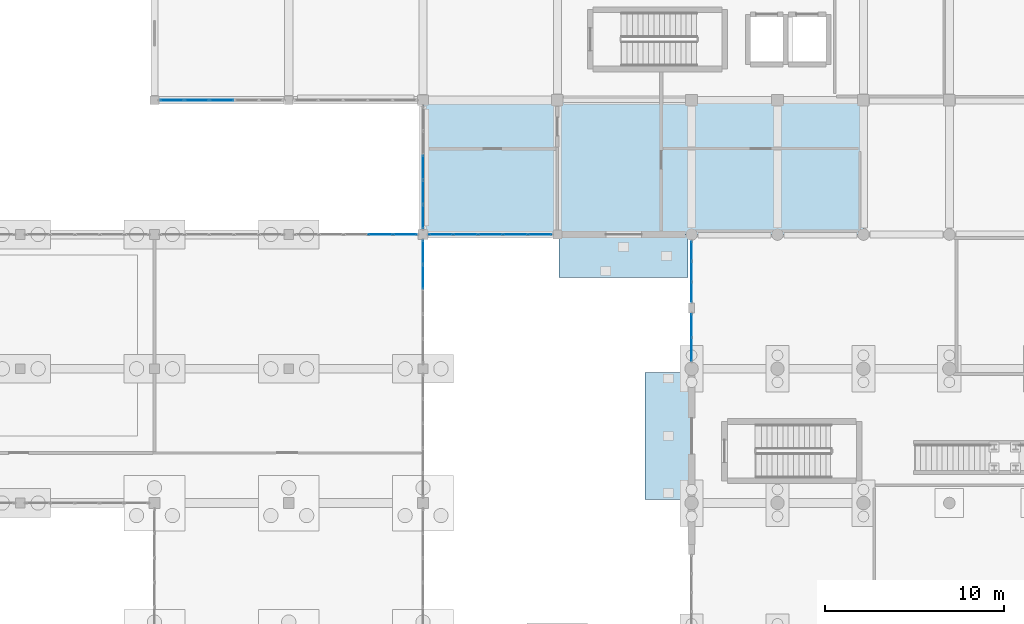
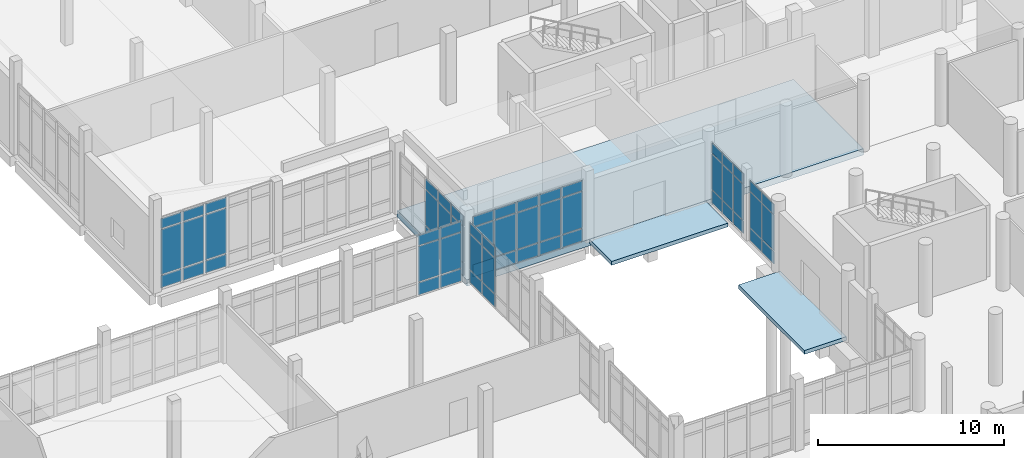
# One storey, part 135 of 173: 60 plates, 3 slabs, 7 elements without a shape of their own.
"""IFC4 building model written with IfcOpenShell, lengths in metres."""

import ifcopenshell
import ifcopenshell.guid

model = None  # the IFC model being written
_history = None  # IfcOwnerHistory: only IFC2X3 demands one
_inside = {}  # id of a spatial element -> (the spatial element, [elements in it])
_under = {}  # id of a project, library or spatial element -> (it, [spatial elements below it])
_declared = {}  # id of a project -> (the project, [libraries it declares])
_typed = {}  # id of a type object -> (the type object, [elements of that type])
_made_of = {}  # id of a material, layer set ... -> (it, [elements and type objects made of it])


def new_model(schema):
    """Start an empty IFC model of exactly this schema.

    Asked for "IFC4X3", IfcOpenShell would pick the latest addendum, in which some entities
    have other attributes; the version numbers below select the first issue.
    IFC2X3 requires an IfcOwnerHistory on every rooted entity: one is made here for all.
    """
    global model, _history
    if schema == "IFC4X3":
        model = ifcopenshell.file(schema_version=(4, 3, 0, 0))
    else:
        model = ifcopenshell.file(schema=schema)
    _inside.clear()
    _under.clear()
    _declared.clear()
    _typed.clear()
    _made_of.clear()
    _history = None
    if model.schema == "IFC2X3":
        org = make("IfcOrganization", Name="unknown")
        user = make(
            "IfcPersonAndOrganization",
            ThePerson=make("IfcPerson", FamilyName="unknown"),
            TheOrganization=org,
        )
        app = make(
            "IfcApplication",
            ApplicationDeveloper=org,
            Version="unknown",
            ApplicationFullName="unknown",
            ApplicationIdentifier="unknown",
        )
        _history = make(
            "IfcOwnerHistory",
            OwningUser=user,
            OwningApplication=app,
            ChangeAction="ADDED",
            CreationDate=0,
        )
    return model


def make(cls, **values):
    """One entity of the class cls with the attributes given. An attribute that is None is left unset."""
    return model.create_entity(
        cls, **{name: value for name, value in values.items() if value is not None}
    )


def rooted(cls, **values):
    """An entity with a GlobalId (a new one), such as an element, a storey or a relation."""
    return make(cls, GlobalId=ifcopenshell.guid.new(), OwnerHistory=_history, **values)


def si_unit(unit_type, name, prefix=None):
    """IfcSIUnit, for example si_unit("LENGTHUNIT", "METRE", prefix="MILLI")."""
    return make("IfcSIUnit", UnitType=unit_type, Prefix=prefix, Name=name)


def assignment(units):
    """IfcUnitAssignment: the units of a project."""
    return None if units is None else make("IfcUnitAssignment", Units=units)


def point(xyz):
    """IfcCartesianPoint."""
    return None if xyz is None else make("IfcCartesianPoint", Coordinates=xyz)


def direction(xyz):
    """IfcDirection."""
    return None if xyz is None else make("IfcDirection", DirectionRatios=xyz)


def frame(location, z_axis=None, x_axis=None):
    """IfcAxis2Placement3D, a coordinate frame: its origin and axes. An axis left out is left unset."""
    return make(
        "IfcAxis2Placement3D",
        Location=point(location),
        Axis=direction(z_axis),
        RefDirection=direction(x_axis),
    )


def frame_2d(location, x_axis=None):
    """IfcAxis2Placement2D, a coordinate frame in the plane: its origin and x axis."""
    return make(
        "IfcAxis2Placement2D", Location=point(location), RefDirection=direction(x_axis)
    )


def origin():
    """The frame at (0, 0, 0) with its axes left unset."""
    return frame((0.0, 0.0, 0.0))


def origin_2d():
    """The frame at (0, 0) in the plane with its x axis left unset."""
    return frame_2d((0.0, 0.0))


def place(relative_to, where):
    """IfcLocalPlacement: puts the frame where relative to a parent placement (None: the world)."""
    return make(
        "IfcLocalPlacement", PlacementRelTo=relative_to, RelativePlacement=where
    )


def context(
    kind, dimensions, precision=None, world=None, true_north=None, identifier=None
):
    """IfcGeometricRepresentationContext, for example the 3D "Model" context."""
    return make(
        "IfcGeometricRepresentationContext",
        ContextIdentifier=identifier,
        ContextType=kind,
        CoordinateSpaceDimension=dimensions,
        Precision=precision,
        WorldCoordinateSystem=world,
        TrueNorth=true_north,
    )


def subcontext(parent, identifier, kind, view, scale=None):
    """IfcGeometricRepresentationSubContext, for example "Body" below "Model"."""
    return make(
        "IfcGeometricRepresentationSubContext",
        ContextIdentifier=identifier,
        ContextType=kind,
        ParentContext=parent,
        TargetScale=scale,
        TargetView=view,
    )


def project(units=None, contexts=None):
    """IfcProject with its units and contexts."""
    return rooted(
        "IfcProject",
        Name="project",
        RepresentationContexts=contexts,
        UnitsInContext=assignment(units),
    )


def spatial(cls, under=None, at=None, **own):
    """A site, building, storey or space (cls), placed at a placement, below another one or the project."""
    s = rooted(cls, ObjectPlacement=at, **own)
    if under is not None:
        _under.setdefault(under.id(), (under, []))[1].append(s)
    return s


def polyline(points):
    """IfcPolyline through the points."""
    return make("IfcPolyline", Points=[point(p) for p in points])


def profile(cls, at=None, kind="AREA", **sizes):
    """A parametric profile (cls). Its sizes go by their IFC names, for example OverallWidth=200.0."""
    return make(cls, ProfileType=kind, Position=at, **sizes)


def rectangle(**sizes):
    """IfcRectangleProfileDef."""
    return profile("IfcRectangleProfileDef", **sizes)


def outline(outer, holes=None, kind="AREA"):
    """IfcArbitraryClosedProfileDef: a profile drawn as a closed curve; with holes, ...WithVoids."""
    if holes is None:
        return make("IfcArbitraryClosedProfileDef", ProfileType=kind, OuterCurve=outer)
    return make(
        "IfcArbitraryProfileDefWithVoids",
        ProfileType=kind,
        OuterCurve=outer,
        InnerCurves=holes,
    )


def extrude(swept, where, along, depth):
    """IfcExtrudedAreaSolid: the profile swept, set in the frame where, extruded along a direction by depth."""
    return make(
        "IfcExtrudedAreaSolid",
        SweptArea=swept,
        Position=where,
        ExtrudedDirection=direction(along),
        Depth=depth,
    )


def shape(context_of_items, identifier, shape_type, items):
    """IfcShapeRepresentation: the items that make up one representation, for example the "Body"."""
    return make(
        "IfcShapeRepresentation",
        ContextOfItems=context_of_items,
        RepresentationIdentifier=identifier,
        RepresentationType=shape_type,
        Items=items,
    )


def material(Name=None, Category=None):
    """IfcMaterial."""
    return make("IfcMaterial", Name=Name, Category=Category)


def layer(
    of_material, thickness, ventilated=None, Name=None, Category=None, Priority=None
):
    """IfcMaterialLayer: one layer of a wall or slab, of a material (None: an air gap)."""
    return make(
        "IfcMaterialLayer",
        Material=of_material,
        LayerThickness=thickness,
        IsVentilated=ventilated,
        Name=Name,
        Category=Category,
        Priority=Priority,
    )


def layer_set(layers, Name=None):
    """IfcMaterialLayerSet."""
    return make("IfcMaterialLayerSet", MaterialLayers=layers, LayerSetName=Name)


def made_of(thing, what):
    """Note that an element or type object is made of a material, layer set ...; save() writes the relation."""
    if what is not None:
        _made_of.setdefault(what.id(), (what, []))[1].append(thing)
    return thing


def type_object(cls, material=None, **own):
    """A type object (cls), such as IfcWallType, which elements share."""
    return made_of(rooted(cls, **own), material)


def element(
    cls,
    number,
    at=None,
    inside=None,
    cuts=None,
    type_object=None,
    material=None,
    context=None,
    identifier="Body",
    shape_type=None,
    held_by="IfcProductDefinitionShape",
    body=None,
    shapes=None,
    **own,
):
    """One element of the class cls, such as IfcWall. Its Tag is "e" and its number.

    at: its placement. inside: the storey or other place that contains it. cuts: it is an
    opening in that element (IfcRelVoidsElement). A single representation is given by context,
    identifier, shape_type and body (its items); several are given by shapes. held_by: the class
    of the entity that holds the representations. save() writes the other relations.
    """
    e = rooted(cls, Tag="e%d" % number, ObjectPlacement=at, **own)
    if body is not None:
        shapes = [shape(context, identifier, shape_type, body)]
    if shapes is not None:
        e.Representation = make(held_by, Representations=shapes)
    if inside is not None:
        _inside.setdefault(inside.id(), (inside, []))[1].append(e)
    if cuts is not None:
        rooted(
            "IfcRelVoidsElement", RelatingBuildingElement=cuts, RelatedOpeningElement=e
        )
    if type_object is not None:
        _typed.setdefault(type_object.id(), (type_object, []))[1].append(e)
    return made_of(e, material)


def aggregate(whole, parts):
    """IfcRelAggregates: a whole, such as a stair, and the parts it consists of."""
    return rooted("IfcRelAggregates", RelatingObject=whole, RelatedObjects=parts)


def save(model, path):
    """Write the relations noted so far, then the file.

    IfcRelAggregates (storeys below a building ...), IfcRelContainedInSpatialStructure (elements
    in a storey), IfcRelDefinesByType, IfcRelAssociatesMaterial and IfcRelDeclares: one each for
    every whole, place, type object, material and project.
    """
    for whole, parts in _under.values():
        aggregate(whole, parts)
    for where, things in _inside.values():
        rooted(
            "IfcRelContainedInSpatialStructure",
            RelatedElements=things,
            RelatingStructure=where,
        )
    for kind, things in _typed.values():
        rooted("IfcRelDefinesByType", RelatedObjects=things, RelatingType=kind)
    for what, things in _made_of.values():
        rooted("IfcRelAssociatesMaterial", RelatedObjects=things, RelatingMaterial=what)
    for by, libraries in _declared.values():
        rooted("IfcRelDeclares", RelatingContext=by, RelatedDefinitions=libraries)
    model.write(path)


model = new_model("IFC4")

# Units and contexts
model_context = context("Model", 3, precision=1e-05, world=origin(), true_north=direction((0.0, 1.0)))
body_context = subcontext(model_context, "Body", "Model", "MODEL_VIEW")
ifc_project = project(units=[si_unit("LENGTHUNIT", "METRE"), si_unit("AREAUNIT", "SQUARE_METRE"), si_unit("VOLUMEUNIT", "CUBIC_METRE"), si_unit("PLANEANGLEUNIT", "RADIAN"), si_unit("MASSUNIT", "GRAM", prefix="KILO")], contexts=[model_context])

# Site, building, storey
site_placement = place(None, origin())
site = spatial("IfcSite", under=ifc_project, at=site_placement, CompositionType="ELEMENT")
building_placement = place(site_placement, origin())
building = spatial("IfcBuilding", under=site, at=building_placement, Name="Mawjan Specialist Oncology Clinic", CompositionType="ELEMENT")
storey_placement = place(building_placement, origin())
storey = spatial("IfcBuildingStorey", under=building, at=storey_placement, Name="L00", CompositionType="ELEMENT", Elevation=0.0)

# Slabs
ifc_material_1 = material(Name="Concrete C40/50", Category="concrete")
ifc_layer_1 = layer(ifc_material_1, 0.25, Name="Concrete C40/50", Category="concrete")
ifc_layer_set_1 = layer_set([ifc_layer_1], Name="Concrete C40/50")
slab_type_1 = type_object("IfcSlabType", Name="AP-250", PredefinedType="BASESLAB", material=ifc_layer_set_1)
slab_1_placement = place(storey_placement, frame((0.0, 0.0, -0.25)))
element("IfcSlab", 1, at=slab_1_placement, inside=storey, type_object=slab_type_1, Name="Ground Exterior Paved Apron SLB-APR-K3", PredefinedType="BASESLAB", context=body_context, shape_type="SweptSolid", body=[
    extrude(outline(polyline([(52.60009765625, 73.39990234375), (59.800048828125, 73.39990234375), (59.800048828125, 75.800048828125), (52.60009765625, 75.800048828125), (52.60009765625, 73.39990234375)])), origin(), (0.0, 0.0, 1.0), 0.25),
])
slab_2_placement = place(storey_placement, frame((0.0, 0.0, -0.25)))
element("IfcSlab", 2, at=slab_2_placement, inside=storey, type_object=slab_type_1, Name="Ground Exterior Paved Apron SLB-APR-K7", PredefinedType="BASESLAB", context=body_context, shape_type="SweptSolid", body=[
    extrude(outline(polyline([(57.39990234375, 61.0), (60.0, 61.0), (60.0, 68.10009765625), (57.39990234375, 68.10009765625), (57.39990234375, 61.0)])), origin(), (0.0, 0.0, 1.0), 0.25),
])

# Curtain wall, plates
ifc_material_2 = material(Name="Unitised spectrally selective aluminium curtain wall", Category="aluminium")
ifc_layer_2 = layer(ifc_material_2, 0.179931640625, Name="Unitised spectrally selective aluminium curtain wall", Category="aluminium")
ifc_layer_set_2 = layer_set([ifc_layer_2], Name="Unitised spectrally selective aluminium curtain wall")
curtain_wall_type_1 = type_object("IfcCurtainWallType", Name="CW-09", PredefinedType="NOTDEFINED", material=ifc_layer_set_2)
curtain_wall_1_placement = place(storey_placement, origin())
curtain_wall_1 = element("IfcCurtainWall", 3, at=curtain_wall_1_placement, inside=storey, type_object=curtain_wall_type_1, Name="L00 Unitised Curtain Wall CW-L00-014", PredefinedType="NOTDEFINED")
ifc_material_3 = material(Name="Spectrally selective double low-E glazing", Category="glass")
ifc_layer_3 = layer(ifc_material_3, 0.035888671875, Name="Spectrally selective double low-E glazing", Category="glass")
ifc_layer_set_3 = layer_set([ifc_layer_3], Name="Spectrally selective double low-E glazing")
plate_type = type_object("IfcPlateType", Name="CW-P36", PredefinedType="CURTAIN_PANEL", material=ifc_layer_set_3)
plate_1_placement = place(storey_placement, frame((42.632080078125, 75.800048828125, 0.06494140625), z_axis=(0.0, 0.0, 1.0), x_axis=(1.0, 0.0, 0.0)))
plate_1 = element("IfcPlate", 4, at=plate_1_placement, type_object=plate_type, Name="CW-09 panel 4.1", PredefinedType="CURTAIN_PANEL", context=body_context, shape_type="SweptSolid", body=[
    extrude(rectangle(XDim=1.31689453125, YDim=0.035888671875, at=origin_2d()), origin(), (0.0, 0.0, 1.0), 0.802490234375),
])
plate_2_placement = place(storey_placement, frame((42.632080078125, 75.800048828125, 0.9326171875), z_axis=(0.0, 0.0, 1.0), x_axis=(1.0, 0.0, 0.0)))
plate_2 = element("IfcPlate", 5, at=plate_2_placement, type_object=plate_type, Name="CW-09 panel 4.2", PredefinedType="CURTAIN_PANEL", context=body_context, shape_type="SweptSolid", body=[
    extrude(rectangle(XDim=1.31689453125, YDim=0.035888671875, at=origin_2d()), origin(), (0.0, 0.0, 1.0), 2.320068359375),
])
plate_3_placement = place(storey_placement, frame((42.632080078125, 75.800048828125, 3.3173828125), z_axis=(0.0, 0.0, 1.0), x_axis=(1.0, 0.0, 0.0)))
plate_3 = element("IfcPlate", 6, at=plate_3_placement, type_object=plate_type, Name="CW-09 panel 4.3", PredefinedType="CURTAIN_PANEL", context=body_context, shape_type="SweptSolid", body=[
    extrude(rectangle(XDim=1.31689453125, YDim=0.035888671875, at=origin_2d()), origin(), (0.0, 0.0, 1.0), 0.652587890625),
])
plate_4_placement = place(storey_placement, frame((43.997802734375, 75.800048828125, 0.06494140625), z_axis=(0.0, 0.0, 1.0), x_axis=(1.0, 0.0, 0.0)))
plate_4 = element("IfcPlate", 7, at=plate_4_placement, type_object=plate_type, Name="CW-09 panel 5.1", PredefinedType="CURTAIN_PANEL", context=body_context, shape_type="SweptSolid", body=[
    extrude(rectangle(XDim=1.284423828125, YDim=0.035888671875, at=origin_2d()), origin(), (0.0, 0.0, 1.0), 0.802490234375),
])
plate_5_placement = place(storey_placement, frame((43.997802734375, 75.800048828125, 0.9326171875), z_axis=(0.0, 0.0, 1.0), x_axis=(1.0, 0.0, 0.0)))
plate_5 = element("IfcPlate", 8, at=plate_5_placement, type_object=plate_type, Name="CW-09 panel 5.2", PredefinedType="CURTAIN_PANEL", context=body_context, shape_type="SweptSolid", body=[
    extrude(rectangle(XDim=1.284423828125, YDim=0.035888671875, at=origin_2d()), origin(), (0.0, 0.0, 1.0), 2.320068359375),
])
plate_6_placement = place(storey_placement, frame((43.997802734375, 75.800048828125, 3.3173828125), z_axis=(0.0, 0.0, 1.0), x_axis=(1.0, 0.0, 0.0)))
plate_6 = element("IfcPlate", 9, at=plate_6_placement, type_object=plate_type, Name="CW-09 panel 5.3", PredefinedType="CURTAIN_PANEL", context=body_context, shape_type="SweptSolid", body=[
    extrude(rectangle(XDim=1.284423828125, YDim=0.035888671875, at=origin_2d()), origin(), (0.0, 0.0, 1.0), 0.652587890625),
])
aggregate(curtain_wall_1, [plate_1, plate_2, plate_3, plate_4, plate_5, plate_6])

ifc_material_4 = material(Name="Unitised spectrally selective aluminium curtain wall", Category="aluminium")
ifc_layer_4 = layer(ifc_material_4, 0.179931640625, Name="Unitised spectrally selective aluminium curtain wall", Category="aluminium")
ifc_layer_set_4 = layer_set([ifc_layer_4], Name="Unitised spectrally selective aluminium curtain wall")
curtain_wall_type_2 = type_object("IfcCurtainWallType", Name="CW-10", PredefinedType="NOTDEFINED", material=ifc_layer_set_4)
curtain_wall_2_placement = place(storey_placement, origin())
curtain_wall_2 = element("IfcCurtainWall", 10, at=curtain_wall_2_placement, inside=storey, type_object=curtain_wall_type_2, Name="L00 Unitised Curtain Wall CW-L00-015", PredefinedType="NOTDEFINED")
plate_7_placement = place(storey_placement, frame((45.0, 76.7998046875, 0.06494140625), z_axis=(0.0, 0.0, 1.0), x_axis=(0.0, 1.0, 0.0)))
plate_7 = element("IfcPlate", 11, at=plate_7_placement, type_object=plate_type, Name="CW-10 panel 1.1", PredefinedType="CURTAIN_PANEL", context=body_context, shape_type="SweptSolid", body=[
    extrude(rectangle(XDim=1.279541015625, YDim=0.035888671875, at=origin_2d()), origin(), (0.0, 0.0, 1.0), 0.802490234375),
])
plate_8_placement = place(storey_placement, frame((45.0, 76.7998046875, 0.9326171875), z_axis=(0.0, 0.0, 1.0), x_axis=(0.0, 1.0, 0.0)))
plate_8 = element("IfcPlate", 12, at=plate_8_placement, type_object=plate_type, Name="CW-10 panel 1.2", PredefinedType="CURTAIN_PANEL", context=body_context, shape_type="SweptSolid", body=[
    extrude(rectangle(XDim=1.279541015625, YDim=0.035888671875, at=origin_2d()), origin(), (0.0, 0.0, 1.0), 2.320068359375),
])
plate_9_placement = place(storey_placement, frame((45.0, 76.7998046875, 3.3173828125), z_axis=(0.0, 0.0, 1.0), x_axis=(0.0, 1.0, 0.0)))
plate_9 = element("IfcPlate", 13, at=plate_9_placement, type_object=plate_type, Name="CW-10 panel 1.3", PredefinedType="CURTAIN_PANEL", context=body_context, shape_type="SweptSolid", body=[
    extrude(rectangle(XDim=1.279541015625, YDim=0.035888671875, at=origin_2d()), origin(), (0.0, 0.0, 1.0), 0.652587890625),
])
plate_10_placement = place(storey_placement, frame((45.0, 78.160400390625, 0.06494140625), z_axis=(0.0, 0.0, 1.0), x_axis=(0.0, 1.0, 0.0)))
plate_10 = element("IfcPlate", 14, at=plate_10_placement, type_object=plate_type, Name="CW-10 panel 2.1", PredefinedType="CURTAIN_PANEL", context=body_context, shape_type="SweptSolid", body=[
    extrude(rectangle(XDim=1.31201171875, YDim=0.035888671875, at=origin_2d()), origin(), (0.0, 0.0, 1.0), 0.802490234375),
])
plate_11_placement = place(storey_placement, frame((45.0, 78.160400390625, 0.9326171875), z_axis=(0.0, 0.0, 1.0), x_axis=(0.0, 1.0, 0.0)))
plate_11 = element("IfcPlate", 15, at=plate_11_placement, type_object=plate_type, Name="CW-10 panel 2.2", PredefinedType="CURTAIN_PANEL", context=body_context, shape_type="SweptSolid", body=[
    extrude(rectangle(XDim=1.31201171875, YDim=0.035888671875, at=origin_2d()), origin(), (0.0, 0.0, 1.0), 2.320068359375),
])
plate_12_placement = place(storey_placement, frame((45.0, 78.160400390625, 3.3173828125), z_axis=(0.0, 0.0, 1.0), x_axis=(0.0, 1.0, 0.0)))
plate_12 = element("IfcPlate", 16, at=plate_12_placement, type_object=plate_type, Name="CW-10 panel 2.3", PredefinedType="CURTAIN_PANEL", context=body_context, shape_type="SweptSolid", body=[
    extrude(rectangle(XDim=1.31201171875, YDim=0.035888671875, at=origin_2d()), origin(), (0.0, 0.0, 1.0), 0.652587890625),
])
plate_13_placement = place(storey_placement, frame((45.0, 79.53759765625, 0.06494140625), z_axis=(0.0, 0.0, 1.0), x_axis=(0.0, 1.0, 0.0)))
plate_13 = element("IfcPlate", 17, at=plate_13_placement, type_object=plate_type, Name="CW-10 panel 3.1", PredefinedType="CURTAIN_PANEL", context=body_context, shape_type="SweptSolid", body=[
    extrude(rectangle(XDim=1.31201171875, YDim=0.035888671875, at=origin_2d()), origin(), (0.0, 0.0, 1.0), 0.802490234375),
])
plate_14_placement = place(storey_placement, frame((45.0, 79.53759765625, 0.9326171875), z_axis=(0.0, 0.0, 1.0), x_axis=(0.0, 1.0, 0.0)))
plate_14 = element("IfcPlate", 18, at=plate_14_placement, type_object=plate_type, Name="CW-10 panel 3.2", PredefinedType="CURTAIN_PANEL", context=body_context, shape_type="SweptSolid", body=[
    extrude(rectangle(XDim=1.31201171875, YDim=0.035888671875, at=origin_2d()), origin(), (0.0, 0.0, 1.0), 2.320068359375),
])
plate_15_placement = place(storey_placement, frame((45.0, 79.53759765625, 3.3173828125), z_axis=(0.0, 0.0, 1.0), x_axis=(0.0, 1.0, 0.0)))
plate_15 = element("IfcPlate", 19, at=plate_15_placement, type_object=plate_type, Name="CW-10 panel 3.3", PredefinedType="CURTAIN_PANEL", context=body_context, shape_type="SweptSolid", body=[
    extrude(rectangle(XDim=1.31201171875, YDim=0.035888671875, at=origin_2d()), origin(), (0.0, 0.0, 1.0), 0.652587890625),
])
aggregate(curtain_wall_2, [plate_7, plate_8, plate_9, plate_10, plate_11, plate_12, plate_13, plate_14, plate_15])

ifc_material_5 = material(Name="Unitised spectrally selective aluminium curtain wall", Category="aluminium")
ifc_layer_5 = layer(ifc_material_5, 0.179931640625, Name="Unitised spectrally selective aluminium curtain wall", Category="aluminium")
ifc_layer_set_5 = layer_set([ifc_layer_5], Name="Unitised spectrally selective aluminium curtain wall")
curtain_wall_type_3 = type_object("IfcCurtainWallType", Name="CW-11", PredefinedType="NOTDEFINED", material=ifc_layer_set_5)
curtain_wall_3_placement = place(storey_placement, origin())
curtain_wall_3 = element("IfcCurtainWall", 20, at=curtain_wall_3_placement, inside=storey, type_object=curtain_wall_type_3, Name="L00 Unitised Curtain Wall CW-L00-017", PredefinedType="NOTDEFINED")
plate_16_placement = place(storey_placement, frame((33.75, 83.300048828125, 0.070068359375), z_axis=(0.0, 0.0, 1.0), x_axis=(-1.0, 0.0, 0.0)))
plate_16 = element("IfcPlate", 21, at=plate_16_placement, type_object=plate_type, Name="CW-11 panel 3.1", PredefinedType="CURTAIN_PANEL", context=body_context, shape_type="SweptSolid", body=[
    extrude(rectangle(XDim=1.322021484375, YDim=0.035888671875, at=origin_2d()), origin(), (0.0, 0.0, 1.0), 0.794921875),
])
plate_17_placement = place(storey_placement, frame((33.75, 83.300048828125, 0.93505859375), z_axis=(0.0, 0.0, 1.0), x_axis=(-1.0, 0.0, 0.0)))
plate_17 = element("IfcPlate", 22, at=plate_17_placement, type_object=plate_type, Name="CW-11 panel 3.2", PredefinedType="CURTAIN_PANEL", context=body_context, shape_type="SweptSolid", body=[
    extrude(rectangle(XDim=1.322021484375, YDim=0.035888671875, at=origin_2d()), origin(), (0.0, 0.0, 1.0), 2.949951171875),
])
plate_18_placement = place(storey_placement, frame((33.75, 83.300048828125, 3.955078125), z_axis=(0.0, 0.0, 1.0), x_axis=(-1.0, 0.0, 0.0)))
plate_18 = element("IfcPlate", 23, at=plate_18_placement, type_object=plate_type, Name="CW-11 panel 3.3", PredefinedType="CURTAIN_PANEL", context=body_context, shape_type="SweptSolid", body=[
    extrude(rectangle(XDim=1.322021484375, YDim=0.035888671875, at=origin_2d()), origin(), (0.0, 0.0, 1.0), 0.64501953125),
])
plate_19_placement = place(storey_placement, frame((32.35791015625, 83.300048828125, 0.070068359375), z_axis=(0.0, 0.0, 1.0), x_axis=(-1.0, 0.0, 0.0)))
plate_19 = element("IfcPlate", 24, at=plate_19_placement, type_object=plate_type, Name="CW-11 panel 4.1", PredefinedType="CURTAIN_PANEL", context=body_context, shape_type="SweptSolid", body=[
    extrude(rectangle(XDim=1.322021484375, YDim=0.035888671875, at=origin_2d()), origin(), (0.0, 0.0, 1.0), 0.794921875),
])
plate_20_placement = place(storey_placement, frame((32.35791015625, 83.300048828125, 0.93505859375), z_axis=(0.0, 0.0, 1.0), x_axis=(-1.0, 0.0, 0.0)))
plate_20 = element("IfcPlate", 25, at=plate_20_placement, type_object=plate_type, Name="CW-11 panel 4.2", PredefinedType="CURTAIN_PANEL", context=body_context, shape_type="SweptSolid", body=[
    extrude(rectangle(XDim=1.322021484375, YDim=0.035888671875, at=origin_2d()), origin(), (0.0, 0.0, 1.0), 2.949951171875),
])
plate_21_placement = place(storey_placement, frame((32.35791015625, 83.300048828125, 3.955078125), z_axis=(0.0, 0.0, 1.0), x_axis=(-1.0, 0.0, 0.0)))
plate_21 = element("IfcPlate", 26, at=plate_21_placement, type_object=plate_type, Name="CW-11 panel 4.3", PredefinedType="CURTAIN_PANEL", context=body_context, shape_type="SweptSolid", body=[
    extrude(rectangle(XDim=1.322021484375, YDim=0.035888671875, at=origin_2d()), origin(), (0.0, 0.0, 1.0), 0.64501953125),
])
plate_22_placement = place(storey_placement, frame((30.9833984375, 83.300048828125, 0.070068359375), z_axis=(0.0, 0.0, 1.0), x_axis=(-1.0, 0.0, 0.0)))
plate_22 = element("IfcPlate", 27, at=plate_22_placement, type_object=plate_type, Name="CW-11 panel 5.1", PredefinedType="CURTAIN_PANEL", context=body_context, shape_type="SweptSolid", body=[
    extrude(rectangle(XDim=1.287109375, YDim=0.035888671875, at=origin_2d()), origin(), (0.0, 0.0, 1.0), 0.794921875),
])
plate_23_placement = place(storey_placement, frame((30.9833984375, 83.300048828125, 0.93505859375), z_axis=(0.0, 0.0, 1.0), x_axis=(-1.0, 0.0, 0.0)))
plate_23 = element("IfcPlate", 28, at=plate_23_placement, type_object=plate_type, Name="CW-11 panel 5.2", PredefinedType="CURTAIN_PANEL", context=body_context, shape_type="SweptSolid", body=[
    extrude(rectangle(XDim=1.287109375, YDim=0.035888671875, at=origin_2d()), origin(), (0.0, 0.0, 1.0), 2.949951171875),
])
plate_24_placement = place(storey_placement, frame((30.9833984375, 83.300048828125, 3.955078125), z_axis=(0.0, 0.0, 1.0), x_axis=(-1.0, 0.0, 0.0)))
plate_24 = element("IfcPlate", 29, at=plate_24_placement, type_object=plate_type, Name="CW-11 panel 5.3", PredefinedType="CURTAIN_PANEL", context=body_context, shape_type="SweptSolid", body=[
    extrude(rectangle(XDim=1.287109375, YDim=0.035888671875, at=origin_2d()), origin(), (0.0, 0.0, 1.0), 0.64501953125),
])
aggregate(curtain_wall_3, [plate_16, plate_17, plate_18, plate_19, plate_20, plate_21, plate_22, plate_23, plate_24])

ifc_material_6 = material(Name="Unitised spectrally selective aluminium curtain wall", Category="aluminium")
ifc_layer_6 = layer(ifc_material_6, 0.179931640625, Name="Unitised spectrally selective aluminium curtain wall", Category="aluminium")
ifc_layer_set_6 = layer_set([ifc_layer_6], Name="Unitised spectrally selective aluminium curtain wall")
curtain_wall_type_4 = type_object("IfcCurtainWallType", Name="CW-24", PredefinedType="NOTDEFINED", material=ifc_layer_set_6)
curtain_wall_4_placement = place(storey_placement, origin())
curtain_wall_4 = element("IfcCurtainWall", 30, at=curtain_wall_4_placement, inside=storey, type_object=curtain_wall_type_4, Name="L00 Unitised Curtain Wall CW-L00-042", PredefinedType="NOTDEFINED")
plate_25_placement = place(storey_placement, frame((60.0, 69.387451171875, 0.06005859375), z_axis=(0.0, 0.0, 1.0), x_axis=(0.0, 1.0, 0.0)))
plate_25 = element("IfcPlate", 31, at=plate_25_placement, type_object=plate_type, Name="CW-24 panel 1.1", PredefinedType="CURTAIN_PANEL", context=body_context, shape_type="SweptSolid", body=[
    extrude(rectangle(XDim=1.264892578125, YDim=0.035888671875, at=origin_2d()), origin(), (0.0, 0.0, 1.0), 0.81005859375),
])
plate_26_placement = place(storey_placement, frame((60.0, 69.387451171875, 0.93017578125), z_axis=(0.0, 0.0, 1.0), x_axis=(0.0, 1.0, 0.0)))
plate_26 = element("IfcPlate", 32, at=plate_26_placement, type_object=plate_type, Name="CW-24 panel 1.2", PredefinedType="CURTAIN_PANEL", context=body_context, shape_type="SweptSolid", body=[
    extrude(rectangle(XDim=1.264892578125, YDim=0.035888671875, at=origin_2d()), origin(), (0.0, 0.0, 1.0), 2.324951171875),
])
plate_27_placement = place(storey_placement, frame((60.0, 69.387451171875, 3.31494140625), z_axis=(0.0, 0.0, 1.0), x_axis=(0.0, 1.0, 0.0)))
plate_27 = element("IfcPlate", 33, at=plate_27_placement, type_object=plate_type, Name="CW-24 panel 1.3", PredefinedType="CURTAIN_PANEL", context=body_context, shape_type="SweptSolid", body=[
    extrude(rectangle(XDim=1.264892578125, YDim=0.035888671875, at=origin_2d()), origin(), (0.0, 0.0, 1.0), 0.659912109375),
])
plate_28_placement = place(storey_placement, frame((60.0, 70.71240234375, 0.06005859375), z_axis=(0.0, 0.0, 1.0), x_axis=(0.0, 1.0, 0.0)))
plate_28 = element("IfcPlate", 34, at=plate_28_placement, type_object=plate_type, Name="CW-24 panel 2.1", PredefinedType="CURTAIN_PANEL", context=body_context, shape_type="SweptSolid", body=[
    extrude(rectangle(XDim=1.264892578125, YDim=0.035888671875, at=origin_2d()), origin(), (0.0, 0.0, 1.0), 0.81005859375),
])
plate_29_placement = place(storey_placement, frame((60.0, 70.71240234375, 0.93017578125), z_axis=(0.0, 0.0, 1.0), x_axis=(0.0, 1.0, 0.0)))
plate_29 = element("IfcPlate", 35, at=plate_29_placement, type_object=plate_type, Name="CW-24 panel 2.2", PredefinedType="CURTAIN_PANEL", context=body_context, shape_type="SweptSolid", body=[
    extrude(rectangle(XDim=1.264892578125, YDim=0.035888671875, at=origin_2d()), origin(), (0.0, 0.0, 1.0), 2.324951171875),
])
plate_30_placement = place(storey_placement, frame((60.0, 70.71240234375, 3.31494140625), z_axis=(0.0, 0.0, 1.0), x_axis=(0.0, 1.0, 0.0)))
plate_30 = element("IfcPlate", 36, at=plate_30_placement, type_object=plate_type, Name="CW-24 panel 2.3", PredefinedType="CURTAIN_PANEL", context=body_context, shape_type="SweptSolid", body=[
    extrude(rectangle(XDim=1.264892578125, YDim=0.035888671875, at=origin_2d()), origin(), (0.0, 0.0, 1.0), 0.659912109375),
])
aggregate(curtain_wall_4, [plate_25, plate_26, plate_27, plate_28, plate_29, plate_30])

ifc_material_7 = material(Name="Unitised spectrally selective aluminium curtain wall", Category="aluminium")
ifc_layer_7 = layer(ifc_material_7, 0.179931640625, Name="Unitised spectrally selective aluminium curtain wall", Category="aluminium")
ifc_layer_set_7 = layer_set([ifc_layer_7], Name="Unitised spectrally selective aluminium curtain wall")
curtain_wall_type_5 = type_object("IfcCurtainWallType", Name="CW-25", PredefinedType="NOTDEFINED", material=ifc_layer_set_7)
curtain_wall_5_placement = place(storey_placement, origin())
curtain_wall_5 = element("IfcCurtainWall", 37, at=curtain_wall_5_placement, inside=storey, type_object=curtain_wall_type_5, Name="L00 Unitised Curtain Wall CW-L00-043", PredefinedType="NOTDEFINED")
plate_31_placement = place(storey_placement, frame((60.0, 72.586669921875, 0.06005859375), z_axis=(0.0, 0.0, 1.0), x_axis=(0.0, 1.0, 0.0)))
plate_31 = element("IfcPlate", 38, at=plate_31_placement, type_object=plate_type, Name="CW-25 panel 1.1", PredefinedType="CURTAIN_PANEL", context=body_context, shape_type="SweptSolid", body=[
    extrude(rectangle(XDim=1.063232421875, YDim=0.035888671875, at=origin_2d()), origin(), (0.0, 0.0, 1.0), 0.81005859375),
])
plate_32_placement = place(storey_placement, frame((60.0, 72.586669921875, 0.93017578125), z_axis=(0.0, 0.0, 1.0), x_axis=(0.0, 1.0, 0.0)))
plate_32 = element("IfcPlate", 39, at=plate_32_placement, type_object=plate_type, Name="CW-25 panel 1.2", PredefinedType="CURTAIN_PANEL", context=body_context, shape_type="SweptSolid", body=[
    extrude(rectangle(XDim=1.063232421875, YDim=0.035888671875, at=origin_2d()), origin(), (0.0, 0.0, 1.0), 2.324951171875),
])
plate_33_placement = place(storey_placement, frame((60.0, 72.586669921875, 3.31494140625), z_axis=(0.0, 0.0, 1.0), x_axis=(0.0, 1.0, 0.0)))
plate_33 = element("IfcPlate", 40, at=plate_33_placement, type_object=plate_type, Name="CW-25 panel 1.3", PredefinedType="CURTAIN_PANEL", context=body_context, shape_type="SweptSolid", body=[
    extrude(rectangle(XDim=1.063232421875, YDim=0.035888671875, at=origin_2d()), origin(), (0.0, 0.0, 1.0), 0.659912109375),
])
plate_34_placement = place(storey_placement, frame((60.0, 73.72509765625, 0.06005859375), z_axis=(0.0, 0.0, 1.0), x_axis=(0.0, 1.0, 0.0)))
plate_34 = element("IfcPlate", 41, at=plate_34_placement, type_object=plate_type, Name="CW-25 panel 2.1", PredefinedType="CURTAIN_PANEL", context=body_context, shape_type="SweptSolid", body=[
    extrude(rectangle(XDim=1.09326171875, YDim=0.035888671875, at=origin_2d()), origin(), (0.0, 0.0, 1.0), 0.81005859375),
])
plate_35_placement = place(storey_placement, frame((60.0, 73.72509765625, 0.93017578125), z_axis=(0.0, 0.0, 1.0), x_axis=(0.0, 1.0, 0.0)))
plate_35 = element("IfcPlate", 42, at=plate_35_placement, type_object=plate_type, Name="CW-25 panel 2.2", PredefinedType="CURTAIN_PANEL", context=body_context, shape_type="SweptSolid", body=[
    extrude(rectangle(XDim=1.09326171875, YDim=0.035888671875, at=origin_2d()), origin(), (0.0, 0.0, 1.0), 2.324951171875),
])
plate_36_placement = place(storey_placement, frame((60.0, 73.72509765625, 3.31494140625), z_axis=(0.0, 0.0, 1.0), x_axis=(0.0, 1.0, 0.0)))
plate_36 = element("IfcPlate", 43, at=plate_36_placement, type_object=plate_type, Name="CW-25 panel 2.3", PredefinedType="CURTAIN_PANEL", context=body_context, shape_type="SweptSolid", body=[
    extrude(rectangle(XDim=1.09326171875, YDim=0.035888671875, at=origin_2d()), origin(), (0.0, 0.0, 1.0), 0.659912109375),
])
plate_37_placement = place(storey_placement, frame((60.0, 74.86328125, 0.06005859375), z_axis=(0.0, 0.0, 1.0), x_axis=(0.0, 1.0, 0.0)))
plate_37 = element("IfcPlate", 44, at=plate_37_placement, type_object=plate_type, Name="CW-25 panel 3.1", PredefinedType="CURTAIN_PANEL", context=body_context, shape_type="SweptSolid", body=[
    extrude(rectangle(XDim=1.063232421875, YDim=0.035888671875, at=origin_2d()), origin(), (0.0, 0.0, 1.0), 0.81005859375),
])
plate_38_placement = place(storey_placement, frame((60.0, 74.86328125, 0.93017578125), z_axis=(0.0, 0.0, 1.0), x_axis=(0.0, 1.0, 0.0)))
plate_38 = element("IfcPlate", 45, at=plate_38_placement, type_object=plate_type, Name="CW-25 panel 3.2", PredefinedType="CURTAIN_PANEL", context=body_context, shape_type="SweptSolid", body=[
    extrude(rectangle(XDim=1.063232421875, YDim=0.035888671875, at=origin_2d()), origin(), (0.0, 0.0, 1.0), 2.324951171875),
])
plate_39_placement = place(storey_placement, frame((60.0, 74.86328125, 3.31494140625), z_axis=(0.0, 0.0, 1.0), x_axis=(0.0, 1.0, 0.0)))
plate_39 = element("IfcPlate", 46, at=plate_39_placement, type_object=plate_type, Name="CW-25 panel 3.3", PredefinedType="CURTAIN_PANEL", context=body_context, shape_type="SweptSolid", body=[
    extrude(rectangle(XDim=1.063232421875, YDim=0.035888671875, at=origin_2d()), origin(), (0.0, 0.0, 1.0), 0.659912109375),
])
aggregate(curtain_wall_5, [plate_31, plate_32, plate_33, plate_34, plate_35, plate_36, plate_37, plate_38, plate_39])

ifc_material_8 = material(Name="Unitised spectrally selective aluminium curtain wall", Category="aluminium")
ifc_layer_8 = layer(ifc_material_8, 0.179931640625, Name="Unitised spectrally selective aluminium curtain wall", Category="aluminium")
ifc_layer_set_8 = layer_set([ifc_layer_8], Name="Unitised spectrally selective aluminium curtain wall")
curtain_wall_type_6 = type_object("IfcCurtainWallType", Name="CW-26", PredefinedType="NOTDEFINED", material=ifc_layer_set_8)
curtain_wall_6_placement = place(storey_placement, origin())
curtain_wall_6 = element("IfcCurtainWall", 47, at=curtain_wall_6_placement, inside=storey, type_object=curtain_wall_type_6, Name="L00 Unitised Curtain Wall CW-L00-044", PredefinedType="NOTDEFINED")
plate_40_placement = place(storey_placement, frame((51.520263671875, 75.800048828125, 0.06494140625), z_axis=(0.0, 0.0, 1.0), x_axis=(-1.0, 0.0, 0.0)))
plate_40 = element("IfcPlate", 48, at=plate_40_placement, type_object=plate_type, Name="CW-26 panel 1.1", PredefinedType="CURTAIN_PANEL", context=body_context, shape_type="SweptSolid", body=[
    extrude(rectangle(XDim=1.28955078125, YDim=0.035888671875, at=origin_2d()), origin(), (0.0, 0.0, 1.0), 0.802490234375),
])
plate_41_placement = place(storey_placement, frame((51.520263671875, 75.800048828125, 0.932373046875), z_axis=(0.0, 0.0, 1.0), x_axis=(-1.0, 0.0, 0.0)))
plate_41 = element("IfcPlate", 49, at=plate_41_placement, type_object=plate_type, Name="CW-26 panel 1.2", PredefinedType="CURTAIN_PANEL", context=body_context, shape_type="SweptSolid", body=[
    extrude(rectangle(XDim=1.28955078125, YDim=0.035888671875, at=origin_2d()), origin(), (0.0, 0.0, 1.0), 2.3701171875),
])
plate_42_placement = place(storey_placement, frame((51.520263671875, 75.800048828125, 3.36767578125), z_axis=(0.0, 0.0, 1.0), x_axis=(-1.0, 0.0, 0.0)))
plate_42 = element("IfcPlate", 50, at=plate_42_placement, type_object=plate_type, Name="CW-26 panel 1.3", PredefinedType="CURTAIN_PANEL", context=body_context, shape_type="SweptSolid", body=[
    extrude(rectangle(XDim=1.28955078125, YDim=0.035888671875, at=origin_2d()), origin(), (0.0, 0.0, 1.0), 0.652587890625),
])
plate_43_placement = place(storey_placement, frame((50.1494140625, 75.800048828125, 0.06494140625), z_axis=(0.0, 0.0, 1.0), x_axis=(-1.0, 0.0, 0.0)))
plate_43 = element("IfcPlate", 51, at=plate_43_placement, type_object=plate_type, Name="CW-26 panel 2.1", PredefinedType="CURTAIN_PANEL", context=body_context, shape_type="SweptSolid", body=[
    extrude(rectangle(XDim=1.322021484375, YDim=0.035888671875, at=origin_2d()), origin(), (0.0, 0.0, 1.0), 0.802490234375),
])
plate_44_placement = place(storey_placement, frame((50.1494140625, 75.800048828125, 0.932373046875), z_axis=(0.0, 0.0, 1.0), x_axis=(-1.0, 0.0, 0.0)))
plate_44 = element("IfcPlate", 52, at=plate_44_placement, type_object=plate_type, Name="CW-26 panel 2.2", PredefinedType="CURTAIN_PANEL", context=body_context, shape_type="SweptSolid", body=[
    extrude(rectangle(XDim=1.322021484375, YDim=0.035888671875, at=origin_2d()), origin(), (0.0, 0.0, 1.0), 2.3701171875),
])
plate_45_placement = place(storey_placement, frame((50.1494140625, 75.800048828125, 3.36767578125), z_axis=(0.0, 0.0, 1.0), x_axis=(-1.0, 0.0, 0.0)))
plate_45 = element("IfcPlate", 53, at=plate_45_placement, type_object=plate_type, Name="CW-26 panel 2.3", PredefinedType="CURTAIN_PANEL", context=body_context, shape_type="SweptSolid", body=[
    extrude(rectangle(XDim=1.322021484375, YDim=0.035888671875, at=origin_2d()), origin(), (0.0, 0.0, 1.0), 0.652587890625),
])
plate_46_placement = place(storey_placement, frame((48.762451171875, 75.800048828125, 0.06494140625), z_axis=(0.0, 0.0, 1.0), x_axis=(-1.0, 0.0, 0.0)))
plate_46 = element("IfcPlate", 54, at=plate_46_placement, type_object=plate_type, Name="CW-26 panel 3.1", PredefinedType="CURTAIN_PANEL", context=body_context, shape_type="SweptSolid", body=[
    extrude(rectangle(XDim=1.322021484375, YDim=0.035888671875, at=origin_2d()), origin(), (0.0, 0.0, 1.0), 0.802490234375),
])
plate_47_placement = place(storey_placement, frame((48.762451171875, 75.800048828125, 0.932373046875), z_axis=(0.0, 0.0, 1.0), x_axis=(-1.0, 0.0, 0.0)))
plate_47 = element("IfcPlate", 55, at=plate_47_placement, type_object=plate_type, Name="CW-26 panel 3.2", PredefinedType="CURTAIN_PANEL", context=body_context, shape_type="SweptSolid", body=[
    extrude(rectangle(XDim=1.322021484375, YDim=0.035888671875, at=origin_2d()), origin(), (0.0, 0.0, 1.0), 2.3701171875),
])
plate_48_placement = place(storey_placement, frame((48.762451171875, 75.800048828125, 3.36767578125), z_axis=(0.0, 0.0, 1.0), x_axis=(-1.0, 0.0, 0.0)))
plate_48 = element("IfcPlate", 56, at=plate_48_placement, type_object=plate_type, Name="CW-26 panel 3.3", PredefinedType="CURTAIN_PANEL", context=body_context, shape_type="SweptSolid", body=[
    extrude(rectangle(XDim=1.322021484375, YDim=0.035888671875, at=origin_2d()), origin(), (0.0, 0.0, 1.0), 0.652587890625),
])
plate_49_placement = place(storey_placement, frame((47.37548828125, 75.800048828125, 0.06494140625), z_axis=(0.0, 0.0, 1.0), x_axis=(-1.0, 0.0, 0.0)))
plate_49 = element("IfcPlate", 57, at=plate_49_placement, type_object=plate_type, Name="CW-26 panel 4.1", PredefinedType="CURTAIN_PANEL", context=body_context, shape_type="SweptSolid", body=[
    extrude(rectangle(XDim=1.322021484375, YDim=0.035888671875, at=origin_2d()), origin(), (0.0, 0.0, 1.0), 0.802490234375),
])
plate_50_placement = place(storey_placement, frame((47.37548828125, 75.800048828125, 0.932373046875), z_axis=(0.0, 0.0, 1.0), x_axis=(-1.0, 0.0, 0.0)))
plate_50 = element("IfcPlate", 58, at=plate_50_placement, type_object=plate_type, Name="CW-26 panel 4.2", PredefinedType="CURTAIN_PANEL", context=body_context, shape_type="SweptSolid", body=[
    extrude(rectangle(XDim=1.322021484375, YDim=0.035888671875, at=origin_2d()), origin(), (0.0, 0.0, 1.0), 2.3701171875),
])
plate_51_placement = place(storey_placement, frame((47.37548828125, 75.800048828125, 3.36767578125), z_axis=(0.0, 0.0, 1.0), x_axis=(-1.0, 0.0, 0.0)))
plate_51 = element("IfcPlate", 59, at=plate_51_placement, type_object=plate_type, Name="CW-26 panel 4.3", PredefinedType="CURTAIN_PANEL", context=body_context, shape_type="SweptSolid", body=[
    extrude(rectangle(XDim=1.322021484375, YDim=0.035888671875, at=origin_2d()), origin(), (0.0, 0.0, 1.0), 0.652587890625),
])
plate_52_placement = place(storey_placement, frame((46.004638671875, 75.800048828125, 0.06494140625), z_axis=(0.0, 0.0, 1.0), x_axis=(-1.0, 0.0, 0.0)))
plate_52 = element("IfcPlate", 60, at=plate_52_placement, type_object=plate_type, Name="CW-26 panel 5.1", PredefinedType="CURTAIN_PANEL", context=body_context, shape_type="SweptSolid", body=[
    extrude(rectangle(XDim=1.28955078125, YDim=0.035888671875, at=origin_2d()), origin(), (0.0, 0.0, 1.0), 0.802490234375),
])
plate_53_placement = place(storey_placement, frame((46.004638671875, 75.800048828125, 0.932373046875), z_axis=(0.0, 0.0, 1.0), x_axis=(-1.0, 0.0, 0.0)))
plate_53 = element("IfcPlate", 61, at=plate_53_placement, type_object=plate_type, Name="CW-26 panel 5.2", PredefinedType="CURTAIN_PANEL", context=body_context, shape_type="SweptSolid", body=[
    extrude(rectangle(XDim=1.28955078125, YDim=0.035888671875, at=origin_2d()), origin(), (0.0, 0.0, 1.0), 2.3701171875),
])
plate_54_placement = place(storey_placement, frame((46.004638671875, 75.800048828125, 3.36767578125), z_axis=(0.0, 0.0, 1.0), x_axis=(-1.0, 0.0, 0.0)))
plate_54 = element("IfcPlate", 62, at=plate_54_placement, type_object=plate_type, Name="CW-26 panel 5.3", PredefinedType="CURTAIN_PANEL", context=body_context, shape_type="SweptSolid", body=[
    extrude(rectangle(XDim=1.28955078125, YDim=0.035888671875, at=origin_2d()), origin(), (0.0, 0.0, 1.0), 0.652587890625),
])
aggregate(curtain_wall_6, [plate_40, plate_41, plate_42, plate_43, plate_44, plate_45, plate_46, plate_47, plate_48, plate_49, plate_50, plate_51, plate_52, plate_53, plate_54])

curtain_wall_7_placement = place(storey_placement, origin())
curtain_wall_7 = element("IfcCurtainWall", 63, at=curtain_wall_7_placement, inside=storey, type_object=curtain_wall_type_1, Name="L00 Unitised Curtain Wall CW-L00-045", PredefinedType="NOTDEFINED")
plate_55_placement = place(storey_placement, frame((45.0, 74.7978515625, 0.06494140625), z_axis=(0.0, 0.0, 1.0), x_axis=(0.0, -1.0, 0.0)))
plate_55 = element("IfcPlate", 64, at=plate_55_placement, type_object=plate_type, Name="CW-09 panel 1.1", PredefinedType="CURTAIN_PANEL", context=body_context, shape_type="SweptSolid", body=[
    extrude(rectangle(XDim=1.284423828125, YDim=0.035888671875, at=origin_2d()), origin(), (0.0, 0.0, 1.0), 0.802490234375),
])
plate_56_placement = place(storey_placement, frame((45.0, 74.7978515625, 0.9326171875), z_axis=(0.0, 0.0, 1.0), x_axis=(0.0, -1.0, 0.0)))
plate_56 = element("IfcPlate", 65, at=plate_56_placement, type_object=plate_type, Name="CW-09 panel 1.2", PredefinedType="CURTAIN_PANEL", context=body_context, shape_type="SweptSolid", body=[
    extrude(rectangle(XDim=1.284423828125, YDim=0.035888671875, at=origin_2d()), origin(), (0.0, 0.0, 1.0), 2.320068359375),
])
plate_57_placement = place(storey_placement, frame((45.0, 74.7978515625, 3.3173828125), z_axis=(0.0, 0.0, 1.0), x_axis=(0.0, -1.0, 0.0)))
plate_57 = element("IfcPlate", 66, at=plate_57_placement, type_object=plate_type, Name="CW-09 panel 1.3", PredefinedType="CURTAIN_PANEL", context=body_context, shape_type="SweptSolid", body=[
    extrude(rectangle(XDim=1.284423828125, YDim=0.035888671875, at=origin_2d()), origin(), (0.0, 0.0, 1.0), 0.652587890625),
])
plate_58_placement = place(storey_placement, frame((45.0, 73.431884765625, 0.06494140625), z_axis=(0.0, 0.0, 1.0), x_axis=(0.0, -1.0, 0.0)))
plate_58 = element("IfcPlate", 67, at=plate_58_placement, type_object=plate_type, Name="CW-09 panel 2.1", PredefinedType="CURTAIN_PANEL", context=body_context, shape_type="SweptSolid", body=[
    extrude(rectangle(XDim=1.31689453125, YDim=0.035888671875, at=origin_2d()), origin(), (0.0, 0.0, 1.0), 0.802490234375),
])
plate_59_placement = place(storey_placement, frame((45.0, 73.431884765625, 0.9326171875), z_axis=(0.0, 0.0, 1.0), x_axis=(0.0, -1.0, 0.0)))
plate_59 = element("IfcPlate", 68, at=plate_59_placement, type_object=plate_type, Name="CW-09 panel 2.2", PredefinedType="CURTAIN_PANEL", context=body_context, shape_type="SweptSolid", body=[
    extrude(rectangle(XDim=1.31689453125, YDim=0.035888671875, at=origin_2d()), origin(), (0.0, 0.0, 1.0), 2.320068359375),
])
plate_60_placement = place(storey_placement, frame((45.0, 73.431884765625, 3.3173828125), z_axis=(0.0, 0.0, 1.0), x_axis=(0.0, -1.0, 0.0)))
plate_60 = element("IfcPlate", 69, at=plate_60_placement, type_object=plate_type, Name="CW-09 panel 2.3", PredefinedType="CURTAIN_PANEL", context=body_context, shape_type="SweptSolid", body=[
    extrude(rectangle(XDim=1.31689453125, YDim=0.035888671875, at=origin_2d()), origin(), (0.0, 0.0, 1.0), 0.652587890625),
])
aggregate(curtain_wall_7, [plate_55, plate_56, plate_57, plate_58, plate_59, plate_60])

# Slab
ifc_material_9 = material(Name="Concrete C40/50", Category="concrete")
ifc_layer_9 = layer(ifc_material_9, 0.419921875, Name="Concrete C40/50", Category="concrete")
ifc_layer_set_9 = layer_set([ifc_layer_9], Name="Concrete C40/50")
slab_type_2 = type_object("IfcSlabType", Name="FS-420F", PredefinedType="FLOOR", material=ifc_layer_set_9)
slab_3_placement = place(storey_placement, frame((0.0, 0.0, -0.419921875)))
element("IfcSlab", 70, at=slab_3_placement, inside=storey, type_object=slab_type_2, Name="L00 Day Procedure and Pharmacy Wing Slab SLB-V5S-L00", PredefinedType="FLOOR", context=body_context, shape_type="SweptSolid", body=[
    extrude(outline(polyline([(45.0, 75.800048828125), (69.60009765625, 75.800048828125), (69.60009765625, 83.300048828125), (45.0, 83.300048828125), (45.0, 75.800048828125)])), origin(), (0.0, 0.0, 1.0), 0.419921875),
])

save(model, "model.ifc")
